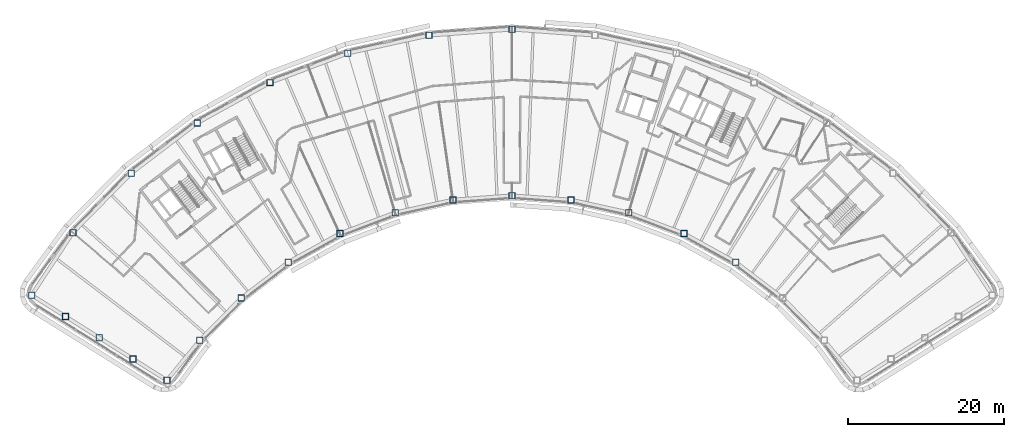
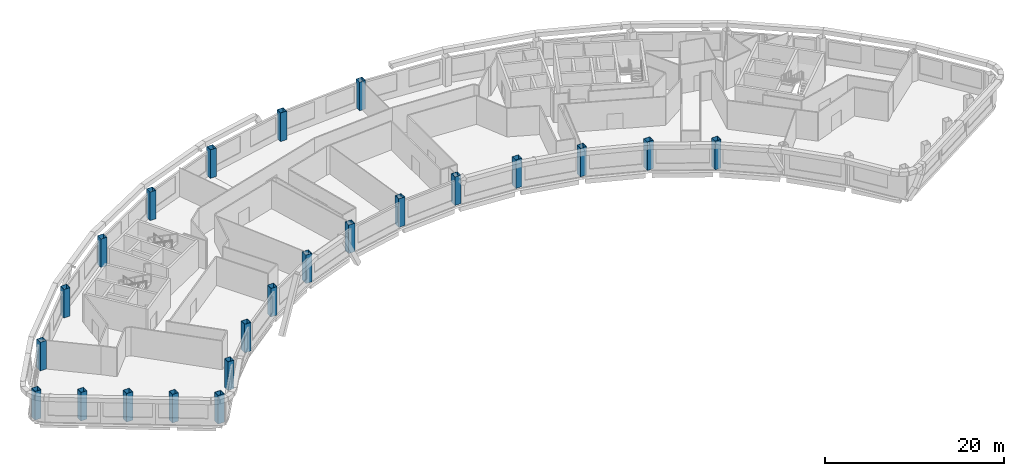
# One storey, part 1 of 16: 23 columns.
"""IFC4 building model written with IfcOpenShell, lengths in metres."""

from ifc_helpers import new_model, si_unit, direction, frame, origin, origin_2d, place, context, subcontext, project, spatial, hollow_rectangle, extrude, material, material_profile, profile_set, type_object, element, save


model = new_model("IFC4")

# Units and contexts
model_context = context("Model", 3, precision=1e-05, world=origin(), true_north=direction((0.0, 1.0)))
body_context = subcontext(model_context, "Body", "Model", "MODEL_VIEW")
ifc_project = project(units=[si_unit("LENGTHUNIT", "METRE"), si_unit("AREAUNIT", "SQUARE_METRE"), si_unit("VOLUMEUNIT", "CUBIC_METRE"), si_unit("PLANEANGLEUNIT", "RADIAN"), si_unit("MASSUNIT", "GRAM", prefix="KILO")], contexts=[model_context])

# Site, building, storey
site_placement = place(None, origin())
site = spatial("IfcSite", under=ifc_project, at=site_placement, CompositionType="ELEMENT")
building_placement = place(site_placement, origin())
building = spatial("IfcBuilding", under=site, at=building_placement, Name="Tuul Gate Civic Tower", CompositionType="ELEMENT")
storey_placement = place(building_placement, frame((0.0, 0.0, 298.39990234375)))
storey = spatial("IfcBuildingStorey", under=building, at=storey_placement, Name="Level 67", CompositionType="ELEMENT", Elevation=298.39990234375)

# Columns
ifc_material = material(Name="Steel S355", Category="steel")
ifc_material_profile = material_profile(ifc_material, hollow_rectangle(XDim=0.800048828125, YDim=0.800048828125, WallThickness=0.031982421875, at=origin_2d()), Name="BOX800x800x32")
ifc_profile_set = profile_set([ifc_material_profile], Name="Steel S355")
column_type = type_object("IfcColumnType", Name="STR-COLUMN-BOX800x800x32", PredefinedType="COLUMN", material=ifc_profile_set)
for number, where, z_axis, x_axis, name in (
    (1, (6.7880859375, 9.23193359375, 0.0), (0.0, 0.0, 1.0), (1.0, 0.0, 0.0), "Column"),
    (2, (-3.861083984375, 8.4599609375, 0.0), (0.0, 0.0, 1.0), (1.0, 0.0, 0.0), "Column"),
    (3, (-14.2880859375, 6.162109375, 0.0), (0.0, 0.0, 1.0), (1.0, 0.0, 0.0), "Column"),
    (4, (-24.27587890625, 2.385009765625, 0.0), (0.0, 0.0, 1.0), (1.0, 0.0, 0.0), "Column"),
    (5, (-33.614013671875, -2.791015625, 0.0), (0.0, 0.0, 1.0), (1.0, 0.0, 0.0), "Column"),
    (6, (-42.10888671875, -9.259033203125, 0.0), (0.0, 0.0, 1.0), (1.0, 0.0, 0.0), "Column"),
    (7, (-49.583984375, -16.884033203125, 0.0), (0.0, 0.0, 1.0), (1.0, 0.0, 0.0), "Column"),
    (8, (-54.883056640625, -24.89697265625, 0.0), (0.0, 0.0, 1.0), (1.0, 0.0, 0.0), "Column"),
    (9, (-50.5400390625, -27.631103515625, 0.0), (0.0, 0.0, 1.0), (1.0, 0.0, 0.0), "Column"),
    (10, (-46.197998046875, -30.365966796875, 0.0), (0.0, 0.0, 1.0), (1.0, 0.0, 0.0), "Column"),
    (11, (-41.85498046875, -33.10009765625, 0.0), (0.0, 0.0, 1.0), (1.0, 0.0, 0.0), "Column"),
    (12, (-37.512939453125, -35.8349609375, 0.0), (0.0, 0.0, 1.0), (1.0, 0.0, 0.0), "Column"),
    (13, (-33.29296875, -30.693115234375, 0.0), (0.0, 0.0, 1.0), (1.0, 0.0, 0.0), "Column"),
    (14, (-27.97900390625, -25.27099609375, 0.0), (0.0, 0.0, 1.0), (1.0, 0.0, 0.0), "Column"),
    (15, (-21.93798828125, -20.672119140625, 0.0), (0.0, 0.0, 1.0), (1.0, 0.0, 0.0), "Column"),
    (16, (-15.298095703125, -16.991943359375, 0.0), (0.0, 0.0, 1.0), (1.0, 0.0, 0.0), "Column"),
    (17, (-8.197998046875, -14.306884765625, 0.0), (0.0, 0.0, 1.0), (1.0, 0.0, 0.0), "Column"),
    (18, (-0.783935546875, -12.673095703125, 0.0), (0.0, 0.0, 1.0), (1.0, 0.0, 0.0), "Column"),
    (19, (6.7880859375, -12.1240234375, 0.0), (0.0, 0.0, 1.0), (1.0, 0.0, 0.0), "Column"),
    (20, (14.360107421875, -12.673095703125, 0.0), (0.0, 0.0, 1.0), (1.0, 0.0, 0.0), "Column"),
    (21, (21.77392578125, -14.306884765625, 0.0), (0.0, 0.0, 1.0), (1.0, 0.0, 0.0), "Column"),
    (22, (28.875, -16.991943359375, 0.0), (0.0, 0.0, 1.0), (1.0, 0.0, 0.0), "Column"),
    (23, (35.514892578125, -20.672119140625, 0.0), (0.0, 0.0, 1.0), (1.0, 0.0, 0.0), "Column"),
):
    element("IfcColumn", number, at=place(storey_placement, frame(where, z_axis=z_axis, x_axis=x_axis)), inside=storey, type_object=column_type, Name=name, PredefinedType="COLUMN", context=body_context, shape_type="SweptSolid", body=[
        extrude(hollow_rectangle(XDim=0.800048828125, YDim=0.800048828125, WallThickness=0.031982421875, at=origin_2d()), origin(), (0.0, 0.0, 1.0), 3.900146484375),
    ])

save(model, "model.ifc")
